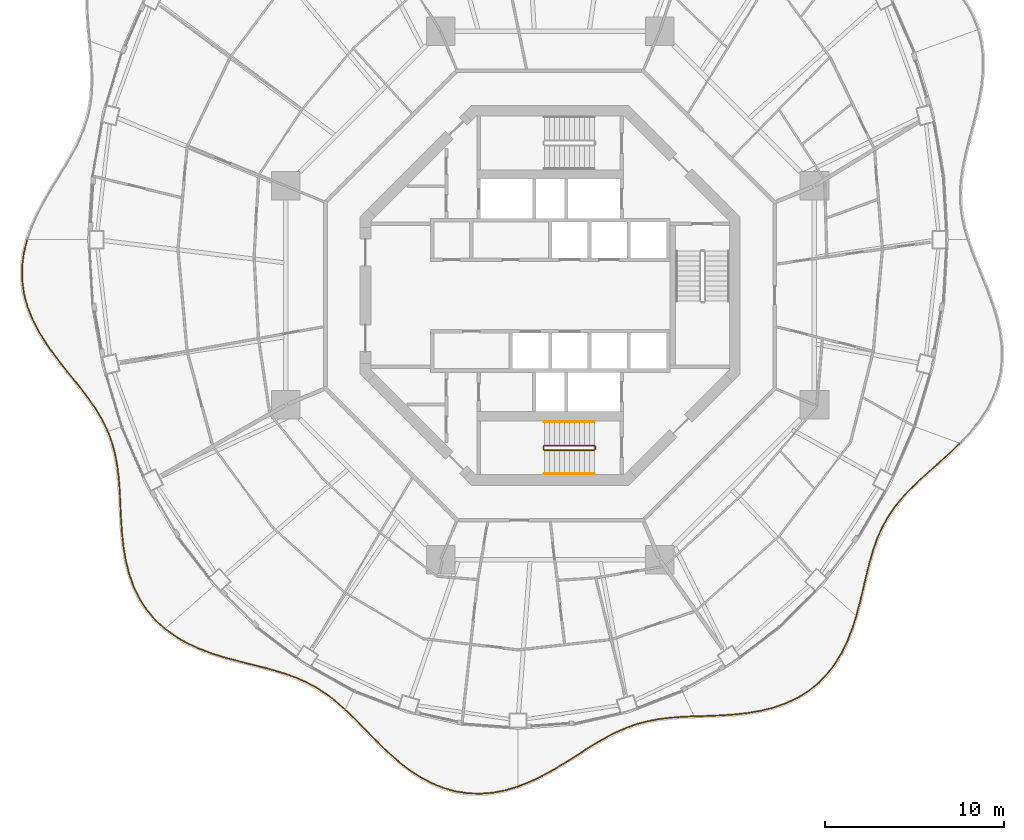
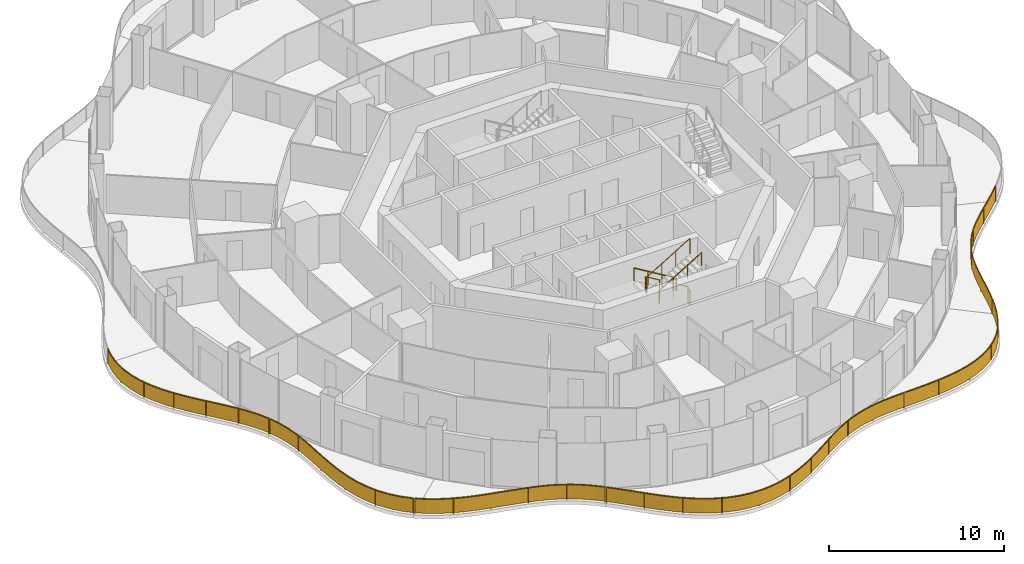
# One storey, part 16 of 18: 10 railings.
"""IFC4 building model written with IfcOpenShell, lengths in metres."""

import ifcopenshell
import ifcopenshell.guid

model = None  # the IFC model being written
_history = None  # IfcOwnerHistory: only IFC2X3 demands one
_inside = {}  # id of a spatial element -> (the spatial element, [elements in it])
_under = {}  # id of a project, library or spatial element -> (it, [spatial elements below it])
_declared = {}  # id of a project -> (the project, [libraries it declares])
_typed = {}  # id of a type object -> (the type object, [elements of that type])
_made_of = {}  # id of a material, layer set ... -> (it, [elements and type objects made of it])


def new_model(schema):
    """Start an empty IFC model of exactly this schema.

    Asked for "IFC4X3", IfcOpenShell would pick the latest addendum, in which some entities
    have other attributes; the version numbers below select the first issue.
    IFC2X3 requires an IfcOwnerHistory on every rooted entity: one is made here for all.
    """
    global model, _history
    if schema == "IFC4X3":
        model = ifcopenshell.file(schema_version=(4, 3, 0, 0))
    else:
        model = ifcopenshell.file(schema=schema)
    _inside.clear()
    _under.clear()
    _declared.clear()
    _typed.clear()
    _made_of.clear()
    _history = None
    if model.schema == "IFC2X3":
        org = make("IfcOrganization", Name="unknown")
        user = make(
            "IfcPersonAndOrganization",
            ThePerson=make("IfcPerson", FamilyName="unknown"),
            TheOrganization=org,
        )
        app = make(
            "IfcApplication",
            ApplicationDeveloper=org,
            Version="unknown",
            ApplicationFullName="unknown",
            ApplicationIdentifier="unknown",
        )
        _history = make(
            "IfcOwnerHistory",
            OwningUser=user,
            OwningApplication=app,
            ChangeAction="ADDED",
            CreationDate=0,
        )
    return model


def make(cls, **values):
    """One entity of the class cls with the attributes given. An attribute that is None is left unset."""
    return model.create_entity(
        cls, **{name: value for name, value in values.items() if value is not None}
    )


def rooted(cls, **values):
    """An entity with a GlobalId (a new one), such as an element, a storey or a relation."""
    return make(cls, GlobalId=ifcopenshell.guid.new(), OwnerHistory=_history, **values)


def si_unit(unit_type, name, prefix=None):
    """IfcSIUnit, for example si_unit("LENGTHUNIT", "METRE", prefix="MILLI")."""
    return make("IfcSIUnit", UnitType=unit_type, Prefix=prefix, Name=name)


def assignment(units):
    """IfcUnitAssignment: the units of a project."""
    return None if units is None else make("IfcUnitAssignment", Units=units)


def point(xyz):
    """IfcCartesianPoint."""
    return None if xyz is None else make("IfcCartesianPoint", Coordinates=xyz)


def direction(xyz):
    """IfcDirection."""
    return None if xyz is None else make("IfcDirection", DirectionRatios=xyz)


def frame(location, z_axis=None, x_axis=None):
    """IfcAxis2Placement3D, a coordinate frame: its origin and axes. An axis left out is left unset."""
    return make(
        "IfcAxis2Placement3D",
        Location=point(location),
        Axis=direction(z_axis),
        RefDirection=direction(x_axis),
    )


def frame_2d(location, x_axis=None):
    """IfcAxis2Placement2D, a coordinate frame in the plane: its origin and x axis."""
    return make(
        "IfcAxis2Placement2D", Location=point(location), RefDirection=direction(x_axis)
    )


def origin():
    """The frame at (0, 0, 0) with its axes left unset."""
    return frame((0.0, 0.0, 0.0))


def origin_2d():
    """The frame at (0, 0) in the plane with its x axis left unset."""
    return frame_2d((0.0, 0.0))


def place(relative_to, where):
    """IfcLocalPlacement: puts the frame where relative to a parent placement (None: the world)."""
    return make(
        "IfcLocalPlacement", PlacementRelTo=relative_to, RelativePlacement=where
    )


def context(
    kind, dimensions, precision=None, world=None, true_north=None, identifier=None
):
    """IfcGeometricRepresentationContext, for example the 3D "Model" context."""
    return make(
        "IfcGeometricRepresentationContext",
        ContextIdentifier=identifier,
        ContextType=kind,
        CoordinateSpaceDimension=dimensions,
        Precision=precision,
        WorldCoordinateSystem=world,
        TrueNorth=true_north,
    )


def subcontext(parent, identifier, kind, view, scale=None):
    """IfcGeometricRepresentationSubContext, for example "Body" below "Model"."""
    return make(
        "IfcGeometricRepresentationSubContext",
        ContextIdentifier=identifier,
        ContextType=kind,
        ParentContext=parent,
        TargetScale=scale,
        TargetView=view,
    )


def project(units=None, contexts=None):
    """IfcProject with its units and contexts."""
    return rooted(
        "IfcProject",
        Name="project",
        RepresentationContexts=contexts,
        UnitsInContext=assignment(units),
    )


def spatial(cls, under=None, at=None, **own):
    """A site, building, storey or space (cls), placed at a placement, below another one or the project."""
    s = rooted(cls, ObjectPlacement=at, **own)
    if under is not None:
        _under.setdefault(under.id(), (under, []))[1].append(s)
    return s


def polyline(points):
    """IfcPolyline through the points."""
    return make("IfcPolyline", Points=[point(p) for p in points])


def profile(cls, at=None, kind="AREA", **sizes):
    """A parametric profile (cls). Its sizes go by their IFC names, for example OverallWidth=200.0."""
    return make(cls, ProfileType=kind, Position=at, **sizes)


def rectangle(**sizes):
    """IfcRectangleProfileDef."""
    return profile("IfcRectangleProfileDef", **sizes)


def circle(**sizes):
    """IfcCircleProfileDef."""
    return profile("IfcCircleProfileDef", **sizes)


def outline(outer, holes=None, kind="AREA"):
    """IfcArbitraryClosedProfileDef: a profile drawn as a closed curve; with holes, ...WithVoids."""
    if holes is None:
        return make("IfcArbitraryClosedProfileDef", ProfileType=kind, OuterCurve=outer)
    return make(
        "IfcArbitraryProfileDefWithVoids",
        ProfileType=kind,
        OuterCurve=outer,
        InnerCurves=holes,
    )


def extrude(swept, where, along, depth):
    """IfcExtrudedAreaSolid: the profile swept, set in the frame where, extruded along a direction by depth."""
    return make(
        "IfcExtrudedAreaSolid",
        SweptArea=swept,
        Position=where,
        ExtrudedDirection=direction(along),
        Depth=depth,
    )


def shape(context_of_items, identifier, shape_type, items):
    """IfcShapeRepresentation: the items that make up one representation, for example the "Body"."""
    return make(
        "IfcShapeRepresentation",
        ContextOfItems=context_of_items,
        RepresentationIdentifier=identifier,
        RepresentationType=shape_type,
        Items=items,
    )


def material(Name=None, Category=None):
    """IfcMaterial."""
    return make("IfcMaterial", Name=Name, Category=Category)


def made_of(thing, what):
    """Note that an element or type object is made of a material, layer set ...; save() writes the relation."""
    if what is not None:
        _made_of.setdefault(what.id(), (what, []))[1].append(thing)
    return thing


def type_object(cls, material=None, **own):
    """A type object (cls), such as IfcWallType, which elements share."""
    return made_of(rooted(cls, **own), material)


def element(
    cls,
    number,
    at=None,
    inside=None,
    cuts=None,
    type_object=None,
    material=None,
    context=None,
    identifier="Body",
    shape_type=None,
    held_by="IfcProductDefinitionShape",
    body=None,
    shapes=None,
    **own,
):
    """One element of the class cls, such as IfcWall. Its Tag is "e" and its number.

    at: its placement. inside: the storey or other place that contains it. cuts: it is an
    opening in that element (IfcRelVoidsElement). A single representation is given by context,
    identifier, shape_type and body (its items); several are given by shapes. held_by: the class
    of the entity that holds the representations. save() writes the other relations.
    """
    e = rooted(cls, Tag="e%d" % number, ObjectPlacement=at, **own)
    if body is not None:
        shapes = [shape(context, identifier, shape_type, body)]
    if shapes is not None:
        e.Representation = make(held_by, Representations=shapes)
    if inside is not None:
        _inside.setdefault(inside.id(), (inside, []))[1].append(e)
    if cuts is not None:
        rooted(
            "IfcRelVoidsElement", RelatingBuildingElement=cuts, RelatedOpeningElement=e
        )
    if type_object is not None:
        _typed.setdefault(type_object.id(), (type_object, []))[1].append(e)
    return made_of(e, material)


def aggregate(whole, parts):
    """IfcRelAggregates: a whole, such as a stair, and the parts it consists of."""
    return rooted("IfcRelAggregates", RelatingObject=whole, RelatedObjects=parts)


def save(model, path):
    """Write the relations noted so far, then the file.

    IfcRelAggregates (storeys below a building ...), IfcRelContainedInSpatialStructure (elements
    in a storey), IfcRelDefinesByType, IfcRelAssociatesMaterial and IfcRelDeclares: one each for
    every whole, place, type object, material and project.
    """
    for whole, parts in _under.values():
        aggregate(whole, parts)
    for where, things in _inside.values():
        rooted(
            "IfcRelContainedInSpatialStructure",
            RelatedElements=things,
            RelatingStructure=where,
        )
    for kind, things in _typed.values():
        rooted("IfcRelDefinesByType", RelatedObjects=things, RelatingType=kind)
    for what, things in _made_of.values():
        rooted("IfcRelAssociatesMaterial", RelatedObjects=things, RelatingMaterial=what)
    for by, libraries in _declared.values():
        rooted("IfcRelDeclares", RelatingContext=by, RelatedDefinitions=libraries)
    model.write(path)


model = new_model("IFC4")

# Units and contexts
model_context = context("Model", 3, precision=1e-05, world=origin(), true_north=direction((0.0, 1.0)))
body_context = subcontext(model_context, "Body", "Model", "MODEL_VIEW")
ifc_project = project(units=[si_unit("LENGTHUNIT", "METRE"), si_unit("AREAUNIT", "SQUARE_METRE"), si_unit("VOLUMEUNIT", "CUBIC_METRE"), si_unit("PLANEANGLEUNIT", "RADIAN"), si_unit("MASSUNIT", "GRAM", prefix="KILO")], contexts=[model_context])

# Site, building, storey
site_placement = place(None, origin())
site = spatial("IfcSite", under=ifc_project, at=site_placement, CompositionType="ELEMENT")
building_placement = place(site_placement, origin())
building = spatial("IfcBuilding", under=site, at=building_placement, Name="Nagisa Residences", CompositionType="ELEMENT")
storey_placement = place(building_placement, frame((0.0, 0.0, 249.199951171875)))
storey = spatial("IfcBuildingStorey", under=building, at=storey_placement, Name="L63", CompositionType="ELEMENT", Elevation=249.199951171875)

# Railings
ifc_material_1 = material(Name="Stainless steel 316", Category="steel")
railing_type_1 = type_object("IfcRailingType", Name="BALCONY GUARD 1100", PredefinedType="BALUSTRADE", material=ifc_material_1)
railing_1_placement = place(storey_placement, frame((-29.258544921875, 3.080078125, 0.0)))
element("IfcRailing", 1, at=railing_1_placement, inside=storey, type_object=railing_type_1, Name="guard:L63:bal08-0", PredefinedType="BALUSTRADE", context=body_context, shape_type="SweptSolid", body=[
    extrude(outline(polyline([(-0.14990234375, -0.707763671875), (0.024169921875, -0.006103515625), (-0.024169921875, 0.006103515625), (-0.19921875, -0.698486328125), (-0.294677734375, -1.453857421875), (-0.294189453125, -2.208740234375), (-0.196044921875, -2.95751953125), (-0.002685546875, -3.6943359375), (0.276611328125, -4.40087890625), (0.63427734375, -5.10107421875), (1.052978515625, -5.77978515625), (1.516357421875, -6.43603515625), (2.005859375, -7.072021484375), (2.498046875, -7.6767578125), (2.981689453125, -8.282958984375), (3.4365234375, -8.882568359375), (3.8486328125, -9.48291015625), (4.20751953125, -10.090576171875), (4.4892578125, -10.676513671875), (4.5341796875, -10.655029296875), (4.25146484375, -10.067138671875), (3.890625, -9.4560546875), (3.47705078125, -8.853271484375), (3.021240234375, -8.252197265625), (2.537109375, -7.6455078125), (2.044921875, -7.040771484375), (1.556884765625, -6.40625), (1.094970703125, -5.751953125), (0.677734375, -5.07666015625), (0.322509765625, -4.38037109375), (0.045166015625, -3.6787109375), (-0.146728515625, -2.94775390625), (-0.244384765625, -2.205322265625), (-0.244384765625, -1.456787109375), (-0.14990234375, -0.707763671875)])), frame((0.0, 0.0, 1.050048828125)), (0.0, 0.0, 1.0), 0.050048828125),
    extrude(outline(polyline([(-0.167724609375, -0.704345703125), (0.0068359375, -0.001708984375), (-0.0068359375, 0.001708984375), (-0.181396484375, -0.701904296875), (-0.276611328125, -1.454833984375), (-0.2763671875, -2.20751953125), (-0.17822265625, -2.9541015625), (0.0146484375, -3.688720703125), (0.293212890625, -4.3935546875), (0.64990234375, -5.09228515625), (1.068115234375, -5.769775390625), (1.531005859375, -6.42529296875), (2.02001953125, -7.060791015625), (2.51220703125, -7.66552734375), (2.995849609375, -8.27197265625), (3.451171875, -8.8720703125), (3.86376953125, -9.47314453125), (4.223388671875, -10.082275390625), (4.50537109375, -10.668701171875), (4.51806640625, -10.662841796875), (4.235595703125, -10.075439453125), (3.87548828125, -9.4658203125), (3.46240234375, -8.86376953125), (3.007080078125, -8.26318359375), (2.52294921875, -7.65673828125), (2.03076171875, -7.052001953125), (1.542236328125, -6.4169921875), (1.079833984375, -5.761962890625), (0.662109375, -5.08544921875), (0.305908203125, -4.3876953125), (0.02783203125, -3.684326171875), (-0.16455078125, -2.951171875), (-0.26220703125, -2.20654296875), (-0.262451171875, -1.455810546875), (-0.167724609375, -0.704345703125)])), frame((0.0, 0.0, 0.06005859375)), (0.0, 0.0, 1.0), 0.989990234375),
    extrude(rectangle(XDim=0.0400390625, YDim=0.0400390625, at=origin_2d()), origin(), (0.0, 0.0, 1.0), 1.050048828125),
    extrude(rectangle(XDim=0.0400390625, YDim=0.0400390625, at=origin_2d()), frame((-0.269287109375, -1.986572265625, 0.0)), (0.0, 0.0, 1.0), 1.050048828125),
    extrude(rectangle(XDim=0.0400390625, YDim=0.0400390625, at=origin_2d()), frame((0.125, -3.94921875, 0.0)), (0.0, 0.0, 1.0), 1.050048828125),
    extrude(rectangle(XDim=0.0400390625, YDim=0.0400390625, at=origin_2d()), frame((1.052734375, -5.731689453125, 0.0)), (0.0, 0.0, 1.0), 1.050048828125),
    extrude(rectangle(XDim=0.0400390625, YDim=0.0400390625, at=origin_2d()), frame((2.2587890625, -7.34326171875, 0.0)), (0.0, 0.0, 1.0), 1.050048828125),
    extrude(rectangle(XDim=0.0400390625, YDim=0.0400390625, at=origin_2d()), frame((3.4990234375, -8.929443359375, 0.0)), (0.0, 0.0, 1.0), 1.050048828125),
    extrude(rectangle(XDim=0.0400390625, YDim=0.0400390625, at=origin_2d()), frame((4.51171875, -10.665771484375, 0.0)), (0.0, 0.0, 1.0), 1.050048828125),
])
railing_2_placement = place(storey_placement, frame((-24.71923828125, -7.648681640625, 0.0)))
element("IfcRailing", 2, at=railing_2_placement, inside=storey, type_object=railing_type_1, Name="guard:L63:bal09-0", PredefinedType="BALUSTRADE", context=body_context, shape_type="SweptSolid", body=[
    extrude(outline(polyline([(0.240966796875, -0.57861328125), (0.0234375, 0.0087890625), (-0.0234375, -0.0087890625), (0.193115234375, -0.59375), (0.36767578125, -1.240966796875), (0.491943359375, -1.914794921875), (0.57470703125, -2.616943359375), (0.6279296875, -3.34521484375), (0.658935546875, -4.083984375), (0.6962890625, -4.853271484375), (0.74951171875, -5.63232421875), (0.833984375, -6.412109375), (0.96435546875, -7.182373046875), (1.14453125, -7.92041015625), (1.39892578125, -8.63818359375), (1.727783203125, -9.315185546875), (2.1328125, -9.942138671875), (2.613525390625, -10.511474609375), (3.131103515625, -10.986328125), (3.164794921875, -10.94921875), (2.649658203125, -10.476806640625), (2.17333984375, -9.912353515625), (1.771240234375, -9.290771484375), (1.4453125, -8.61865234375), (1.1923828125, -7.90625), (1.01318359375, -7.172119140625), (0.8837890625, -6.4052734375), (0.79931640625, -5.6279296875), (0.74609375, -4.850341796875), (0.708740234375, -4.08154296875), (0.677734375, -3.34228515625), (0.62451171875, -2.612060546875), (0.541259765625, -1.907470703125), (0.41650390625, -1.229736328125), (0.240966796875, -0.57861328125)])), frame((0.0, 0.0, 1.050048828125)), (0.0, 0.0, 1.0), 0.050048828125),
    extrude(outline(polyline([(0.2236328125, -0.583984375), (0.006591796875, 0.00244140625), (-0.006591796875, -0.00244140625), (0.21044921875, -0.58837890625), (0.38525390625, -1.23681640625), (0.509765625, -1.912109375), (0.592529296875, -2.615234375), (0.645751953125, -3.34423828125), (0.6767578125, -4.0830078125), (0.714111328125, -4.852294921875), (0.767333984375, -5.630859375), (0.85205078125, -6.40966796875), (0.98193359375, -7.1787109375), (1.16162109375, -7.915283203125), (1.415771484375, -8.631103515625), (1.743408203125, -9.306396484375), (2.1474609375, -9.931396484375), (2.62646484375, -10.4990234375), (3.143310546875, -10.972900390625), (3.152587890625, -10.962646484375), (2.63671875, -10.4892578125), (2.15869140625, -9.923095703125), (1.755615234375, -9.299560546875), (1.428466796875, -8.625732421875), (1.17529296875, -7.911376953125), (0.99560546875, -7.17578125), (0.86572265625, -6.40771484375), (0.781494140625, -5.62939453125), (0.728271484375, -4.851318359375), (0.69091796875, -4.08251953125), (0.659912109375, -3.34326171875), (0.606689453125, -2.61376953125), (0.5234375, -1.91015625), (0.39892578125, -1.23388671875), (0.2236328125, -0.583984375)])), frame((0.0, 0.0, 0.06005859375)), (0.0, 0.0, 1.0), 0.989990234375),
    extrude(rectangle(XDim=0.0400390625, YDim=0.0400390625, at=origin_2d()), origin(), (0.0, 0.0, 1.0), 1.050048828125),
    extrude(rectangle(XDim=0.0400390625, YDim=0.0400390625, at=origin_2d()), frame((0.558837890625, -2.269775390625, 0.0)), (0.0, 0.0, 1.0), 1.050048828125),
    extrude(rectangle(XDim=0.0400390625, YDim=0.0400390625, at=origin_2d()), frame((0.70947265625, -4.60986328125, 0.0)), (0.0, 0.0, 1.0), 1.050048828125),
    extrude(rectangle(XDim=0.0400390625, YDim=0.0400390625, at=origin_2d()), frame((0.948974609375, -6.94140625, 0.0)), (0.0, 0.0, 1.0), 1.050048828125),
    extrude(rectangle(XDim=0.0400390625, YDim=0.0400390625, at=origin_2d()), frame((1.6796875, -9.1591796875, 0.0)), (0.0, 0.0, 1.0), 1.050048828125),
    extrude(rectangle(XDim=0.0400390625, YDim=0.0400390625, at=origin_2d()), frame((3.14794921875, -10.9677734375, 0.0)), (0.0, 0.0, 1.0), 1.050048828125),
])
railing_3_placement = place(storey_placement, frame((-21.51123046875, -18.665283203125, 0.0)))
element("IfcRailing", 3, at=railing_3_placement, inside=storey, type_object=railing_type_1, Name="guard:L63:bal10-0", PredefinedType="BALUSTRADE", context=body_context, shape_type="SweptSolid", body=[
    extrude(outline(polyline([(0.560302734375, -0.373779296875), (0.0146484375, 0.020263671875), (-0.0146484375, -0.020263671875), (0.532958984375, -0.415771484375), (1.16796875, -0.783935546875), (1.84228515625, -1.09912109375), (2.544189453125, -1.367431640625), (3.2626953125, -1.596435546875), (3.9736328125, -1.786376953125), (4.690673828125, -1.968994140625), (5.392578125, -2.145751953125), (6.072265625, -2.328857421875), (6.723876953125, -2.529296875), (7.33056640625, -2.74853515625), (7.919921875, -3.01318359375), (8.480224609375, -3.31982421875), (9.01513671875, -3.672119140625), (9.531005859375, -4.07080078125), (10.00048828125, -4.484619140625), (10.03369140625, -4.447021484375), (9.562744140625, -4.0322265625), (9.04443359375, -3.631591796875), (8.506103515625, -3.27685546875), (7.9423828125, -2.96826171875), (7.34912109375, -2.7021484375), (6.739501953125, -2.48193359375), (6.0859375, -2.281005859375), (5.4052734375, -2.097412109375), (4.702880859375, -1.920654296875), (3.986328125, -1.738037109375), (3.27685546875, -1.548583984375), (2.560791015625, -1.320068359375), (1.86181640625, -1.05322265625), (1.19140625, -0.739501953125), (0.560302734375, -0.373779296875)])), frame((0.0, 0.0, 1.050048828125)), (0.0, 0.0, 1.0), 0.050048828125),
    extrude(outline(polyline([(0.550537109375, -0.388916015625), (0.004150390625, 0.005615234375), (-0.004150390625, -0.005615234375), (0.542724609375, -0.400634765625), (1.176513671875, -0.767822265625), (1.849365234375, -1.08251953125), (2.55029296875, -1.350341796875), (3.267822265625, -1.579345703125), (3.978271484375, -1.76904296875), (4.695068359375, -1.95166015625), (5.397216796875, -2.12841796875), (6.0771484375, -2.311767578125), (6.7294921875, -2.51220703125), (7.337158203125, -2.73193359375), (7.927978515625, -2.9970703125), (8.489501953125, -3.304443359375), (9.025634765625, -3.657470703125), (9.54248046875, -4.056884765625), (10.012451171875, -4.47119140625), (10.021728515625, -4.46044921875), (9.55126953125, -4.046142578125), (9.033935546875, -3.646240234375), (8.496826171875, -3.292236328125), (7.934326171875, -2.984375), (7.342529296875, -2.71875), (6.73388671875, -2.4990234375), (6.0810546875, -2.298095703125), (5.400634765625, -2.11474609375), (4.698486328125, -1.93798828125), (3.981689453125, -1.75537109375), (3.271728515625, -1.565673828125), (2.5546875, -1.337158203125), (1.854736328125, -1.06982421875), (1.182861328125, -0.755615234375), (0.550537109375, -0.388916015625)])), frame((0.0, 0.0, 0.06005859375)), (0.0, 0.0, 1.0), 0.989990234375),
    extrude(rectangle(XDim=0.0400390625, YDim=0.0400390625, at=origin_2d()), origin(), (0.0, 0.0, 1.0), 1.050048828125),
    extrude(rectangle(XDim=0.0400390625, YDim=0.0400390625, at=origin_2d()), frame((1.918212890625, -1.101318359375, 0.0)), (0.0, 0.0, 1.0), 1.050048828125),
    extrude(rectangle(XDim=0.0400390625, YDim=0.0400390625, at=origin_2d()), frame((4.030517578125, -1.775146484375, 0.0)), (0.0, 0.0, 1.0), 1.050048828125),
    extrude(rectangle(XDim=0.0400390625, YDim=0.0400390625, at=origin_2d()), frame((6.177490234375, -2.335205078125, 0.0)), (0.0, 0.0, 1.0), 1.050048828125),
    extrude(rectangle(XDim=0.0400390625, YDim=0.0400390625, at=origin_2d()), frame((8.2333984375, -3.156005859375, 0.0)), (0.0, 0.0, 1.0), 1.050048828125),
    extrude(rectangle(XDim=0.0400390625, YDim=0.0400390625, at=origin_2d()), frame((10.01708984375, -4.4658203125, 0.0)), (0.0, 0.0, 1.0), 1.050048828125),
])
railing_4_placement = place(storey_placement, frame((-11.442138671875, -23.181884765625, 0.0)))
element("IfcRailing", 4, at=railing_4_placement, inside=storey, type_object=railing_type_1, Name="guard:L63:bal11-0", PredefinedType="BALUSTRADE", context=body_context, shape_type="SweptSolid", body=[
    extrude(outline(polyline([(0.46533203125, -0.4150390625), (0.017333984375, 0.01806640625), (-0.017333984375, -0.01806640625), (0.43017578125, -0.45068359375), (0.913818359375, -0.939697265625), (1.406982421875, -1.44580078125), (1.916015625, -1.95703125), (2.446533203125, -2.460693359375), (2.9853515625, -2.9375), (3.568603515625, -3.384521484375), (4.179443359375, -3.782958984375), (4.8173828125, -4.121337890625), (5.479736328125, -4.389892578125), (6.146728515625, -4.578125), (6.841796875, -4.6865234375), (7.548095703125, -4.7109375), (8.257080078125, -4.652587890625), (8.962890625, -4.51611328125), (9.612548828125, -4.320068359375), (9.597900390625, -4.272216796875), (8.95068359375, -4.46728515625), (8.250244140625, -4.602783203125), (7.547119140625, -4.66064453125), (6.8466796875, -4.63671875), (6.157470703125, -4.529296875), (5.495849609375, -4.342529296875), (4.83837890625, -4.075927734375), (4.204833984375, -3.739990234375), (3.597412109375, -3.343505859375), (3.01708984375, -2.89892578125), (2.480224609375, -2.423583984375), (1.951171875, -1.92138671875), (1.442626953125, -1.41064453125), (0.949462890625, -0.904541015625), (0.46533203125, -0.4150390625)])), frame((0.0, 0.0, 1.050048828125)), (0.0, 0.0, 1.0), 0.050048828125),
    extrude(outline(polyline([(0.45263671875, -0.427978515625), (0.0048828125, 0.005126953125), (-0.0048828125, -0.005126953125), (0.44287109375, -0.437744140625), (0.9267578125, -0.927001953125), (1.419921875, -1.43310546875), (1.9287109375, -1.9443359375), (2.458740234375, -2.447265625), (2.996826171875, -2.923583984375), (3.578857421875, -3.36962890625), (4.1884765625, -3.767578125), (4.824951171875, -4.10498046875), (5.485595703125, -4.372802734375), (6.150634765625, -4.560546875), (6.843505859375, -4.668701171875), (7.5478515625, -4.69287109375), (8.254638671875, -4.634521484375), (8.95849609375, -4.49853515625), (9.607177734375, -4.302734375), (9.603271484375, -4.28955078125), (8.955078125, -4.48486328125), (8.252685546875, -4.620849609375), (7.54736328125, -4.6787109375), (6.844970703125, -4.654541015625), (6.153564453125, -4.546875), (5.489990234375, -4.359619140625), (4.830810546875, -4.09228515625), (4.19580078125, -3.75537109375), (3.587158203125, -3.3583984375), (3.005615234375, -2.912841796875), (2.468017578125, -2.43701171875), (1.9384765625, -1.93408203125), (1.4296875, -1.42333984375), (0.9365234375, -0.917236328125), (0.45263671875, -0.427978515625)])), frame((0.0, 0.0, 0.06005859375)), (0.0, 0.0, 1.0), 0.989990234375),
    extrude(rectangle(XDim=0.0400390625, YDim=0.0400390625, at=origin_2d()), origin(), (0.0, 0.0, 1.0), 1.050048828125),
    extrude(rectangle(XDim=0.0400390625, YDim=0.0400390625, at=origin_2d()), frame((1.592529296875, -1.5966796875, 0.0)), (0.0, 0.0, 1.0), 1.050048828125),
    extrude(rectangle(XDim=0.0400390625, YDim=0.0400390625, at=origin_2d()), frame((3.257568359375, -3.114501953125, 0.0)), (0.0, 0.0, 1.0), 1.050048828125),
    extrude(rectangle(XDim=0.0400390625, YDim=0.0400390625, at=origin_2d()), frame((5.19677734375, -4.248291015625, 0.0)), (0.0, 0.0, 1.0), 1.050048828125),
    extrude(rectangle(XDim=0.0400390625, YDim=0.0400390625, at=origin_2d()), frame((7.39453125, -4.680419921875, 0.0)), (0.0, 0.0, 1.0), 1.050048828125),
    extrude(rectangle(XDim=0.0400390625, YDim=0.0400390625, at=origin_2d()), frame((9.605224609375, -4.296142578125, 0.0)), (0.0, 0.0, 1.0), 1.050048828125),
])
railing_5_placement = place(storey_placement, frame((-1.76416015625, -27.451904296875, 0.0)))
element("IfcRailing", 5, at=railing_5_placement, inside=storey, type_object=railing_type_1, Name="guard:L63:bal12-0", PredefinedType="BALUSTRADE", context=body_context, shape_type="SweptSolid", body=[
    extrude(outline(polyline([(0.626220703125, 0.275634765625), (-0.00927734375, 0.023193359375), (0.00927734375, -0.023193359375), (0.646240234375, 0.229736328125), (1.311767578125, 0.547119140625), (1.958251953125, 0.900146484375), (2.584716796875, 1.275146484375), (3.192626953125, 1.657470703125), (3.76708984375, 2.031005859375), (4.34619140625, 2.388916015625), (4.918212890625, 2.7177734375), (5.488037109375, 3.00927734375), (6.0615234375, 3.258056640625), (6.627685546875, 3.45654296875), (7.225341796875, 3.614501953125), (7.84130859375, 3.730224609375), (8.47900390625, 3.809326171875), (9.13916015625, 3.85986328125), (9.77587890625, 3.887451171875), (9.77392578125, 3.937255859375), (9.13623046875, 3.90966796875), (8.47412109375, 3.859130859375), (7.83349609375, 3.779541015625), (7.214111328125, 3.663330078125), (6.613037109375, 3.50439453125), (6.04345703125, 3.304931640625), (5.466552734375, 3.0546875), (4.894287109375, 2.76171875), (4.32080078125, 2.431884765625), (3.740234375, 2.073486328125), (3.165771484375, 1.699462890625), (2.558349609375, 1.317626953125), (1.933349609375, 0.943603515625), (1.288818359375, 0.591552734375), (0.626220703125, 0.275634765625)])), frame((0.0, 0.0, 1.050048828125)), (0.0, 0.0, 1.0), 0.050048828125),
    extrude(outline(polyline([(0.633544921875, 0.259033203125), (-0.002685546875, 0.006591796875), (0.002685546875, -0.006591796875), (0.638916015625, 0.246337890625), (1.303466796875, 0.56298828125), (1.94921875, 0.915771484375), (2.5751953125, 1.29052734375), (3.182861328125, 1.672607421875), (3.75732421875, 2.04638671875), (4.337158203125, 2.404296875), (4.90966796875, 2.733642578125), (5.480224609375, 3.025634765625), (6.054931640625, 3.27490234375), (6.622314453125, 3.473876953125), (7.22119140625, 3.632080078125), (7.83837890625, 3.748046875), (8.477294921875, 3.8271484375), (9.13818359375, 3.877685546875), (9.775146484375, 3.9052734375), (9.774658203125, 3.91943359375), (9.13720703125, 3.891845703125), (8.475830078125, 3.84130859375), (7.83642578125, 3.76171875), (7.21826171875, 3.645751953125), (6.618408203125, 3.487060546875), (6.050048828125, 3.2880859375), (5.474365234375, 3.038330078125), (4.90283203125, 2.745849609375), (4.329833984375, 2.41650390625), (3.75, 2.05810546875), (3.175537109375, 1.684326171875), (2.56787109375, 1.30224609375), (1.9423828125, 0.927978515625), (1.297119140625, 0.57568359375), (0.633544921875, 0.259033203125)])), frame((0.0, 0.0, 0.06005859375)), (0.0, 0.0, 1.0), 0.989990234375),
    extrude(rectangle(XDim=0.0400390625, YDim=0.0400390625, at=origin_2d()), origin(), (0.0, 0.0, 1.0), 1.050048828125),
    extrude(rectangle(XDim=0.0400390625, YDim=0.0400390625, at=origin_2d()), frame((1.930908203125, 0.913818359375, 0.0)), (0.0, 0.0, 1.0), 1.050048828125),
    extrude(rectangle(XDim=0.0400390625, YDim=0.0400390625, at=origin_2d()), frame((3.744873046875, 2.04638671875, 0.0)), (0.0, 0.0, 1.0), 1.050048828125),
    extrude(rectangle(XDim=0.0400390625, YDim=0.0400390625, at=origin_2d()), frame((5.60986328125, 3.089599609375, 0.0)), (0.0, 0.0, 1.0), 1.050048828125),
    extrude(rectangle(XDim=0.0400390625, YDim=0.0400390625, at=origin_2d()), frame((7.64697265625, 3.718994140625, 0.0)), (0.0, 0.0, 1.0), 1.050048828125),
    extrude(rectangle(XDim=0.0400390625, YDim=0.0400390625, at=origin_2d()), frame((9.77490234375, 3.912353515625, 0.0)), (0.0, 0.0, 1.0), 1.050048828125),
])
railing_6_placement = place(storey_placement, frame((8.085693359375, -23.53857421875, 0.0)))
element("IfcRailing", 6, at=railing_6_placement, inside=storey, type_object=railing_type_1, Name="guard:L63:bal13-0", PredefinedType="BALUSTRADE", context=body_context, shape_type="SweptSolid", body=[
    extrude(outline(polyline([(0.68212890625, 0.0458984375), (-0.000732421875, 0.02490234375), (0.000732421875, -0.02490234375), (0.68408203125, -0.00390625), (1.42822265625, 0.026611328125), (2.181640625, 0.076416015625), (2.93603515625, 0.158203125), (3.68017578125, 0.28369140625), (4.39501953125, 0.4560546875), (5.093505859375, 0.698486328125), (5.75390625, 1.008544921875), (6.367431640625, 1.387939453125), (6.927490234375, 1.83642578125), (7.4169921875, 2.33984375), (7.858154296875, 2.913330078125), (8.239013671875, 3.537841796875), (8.56298828125, 4.203857421875), (8.8359375, 4.900390625), (9.048828125, 5.572998046875), (9.0009765625, 5.588134765625), (8.78857421875, 4.9169921875), (8.51708984375, 4.223876953125), (8.195068359375, 3.561767578125), (7.816650390625, 2.941650390625), (7.37890625, 2.37255859375), (6.893798828125, 1.87353515625), (6.338623046875, 1.428955078125), (5.72998046875, 1.052490234375), (5.074462890625, 0.744873046875), (4.380859375, 0.50390625), (3.669921875, 0.33251953125), (2.92919921875, 0.2080078125), (2.17724609375, 0.126220703125), (1.42578125, 0.076416015625), (0.68212890625, 0.0458984375)])), frame((0.0, 0.0, 1.050048828125)), (0.0, 0.0, 1.0), 0.050048828125),
    extrude(outline(polyline([(0.682861328125, 0.028076171875), (-0.000244140625, 0.007080078125), (0.000244140625, -0.007080078125), (0.683349609375, 0.013916015625), (1.427490234375, 0.04443359375), (2.179931640625, 0.09423828125), (2.93359375, 0.17626953125), (3.676513671875, 0.30126953125), (4.389892578125, 0.47314453125), (5.086669921875, 0.715087890625), (5.745361328125, 1.0244140625), (6.357177734375, 1.40283203125), (6.915283203125, 1.849853515625), (7.4033203125, 2.3515625), (7.84326171875, 2.923583984375), (8.22314453125, 3.54638671875), (8.54638671875, 4.2109375), (8.81884765625, 4.90625), (9.031494140625, 5.578369140625), (9.018310546875, 5.582763671875), (8.8056640625, 4.9111328125), (8.53369140625, 4.216796875), (8.2109375, 3.55322265625), (7.83154296875, 2.931396484375), (7.392578125, 2.36083984375), (6.906005859375, 1.860107421875), (6.348876953125, 1.4140625), (5.738525390625, 1.03662109375), (5.081298828125, 0.728271484375), (4.385986328125, 0.48681640625), (3.673583984375, 0.31494140625), (2.931640625, 0.18994140625), (2.178955078125, 0.1083984375), (1.426513671875, 0.05859375), (0.682861328125, 0.028076171875)])), frame((0.0, 0.0, 0.06005859375)), (0.0, 0.0, 1.0), 0.989990234375),
    extrude(rectangle(XDim=0.0400390625, YDim=0.0400390625, at=origin_2d()), origin(), (0.0, 0.0, 1.0), 1.050048828125),
    extrude(rectangle(XDim=0.0400390625, YDim=0.0400390625, at=origin_2d()), frame((2.32861328125, 0.117431640625, 0.0)), (0.0, 0.0, 1.0), 1.050048828125),
    extrude(rectangle(XDim=0.0400390625, YDim=0.0400390625, at=origin_2d()), frame((4.613037109375, 0.55810546875, 0.0)), (0.0, 0.0, 1.0), 1.050048828125),
    extrude(rectangle(XDim=0.0400390625, YDim=0.0400390625, at=origin_2d()), frame((6.65625, 1.651123046875, 0.0)), (0.0, 0.0, 1.0), 1.050048828125),
    extrude(rectangle(XDim=0.0400390625, YDim=0.0400390625, at=origin_2d()), frame((8.142822265625, 3.427978515625, 0.0)), (0.0, 0.0, 1.0), 1.050048828125),
    extrude(rectangle(XDim=0.0400390625, YDim=0.0400390625, at=origin_2d()), frame((9.02490234375, 5.58056640625, 0.0)), (0.0, 0.0, 1.0), 1.050048828125),
])
railing_7_placement = place(storey_placement, frame((17.131103515625, -17.8837890625, 0.0)))
element("IfcRailing", 7, at=railing_7_placement, inside=storey, type_object=railing_type_1, Name="guard:L63:bal14-0", PredefinedType="BALUSTRADE", context=body_context, shape_type="SweptSolid", body=[
    extrude(outline(polyline([(0.1669921875, 0.720947265625), (-0.024169921875, 0.00634765625), (0.024169921875, -0.00634765625), (0.21533203125, 0.708740234375), (0.39794921875, 1.4638671875), (0.57177734375, 2.204833984375), (0.7509765625, 2.922119140625), (0.94970703125, 3.609375), (1.171630859375, 4.250244140625), (1.443115234375, 4.8681640625), (1.763916015625, 5.451904296875), (2.13720703125, 6.00537109375), (2.563232421875, 6.534423828125), (3.03271484375, 7.032470703125), (3.551513671875, 7.5341796875), (4.1025390625, 8.03466796875), (4.672607421875, 8.541748046875), (5.246826171875, 9.063232421875), (5.777099609375, 9.572265625), (5.742431640625, 9.6083984375), (5.212646484375, 9.099853515625), (4.638916015625, 8.578857421875), (4.06884765625, 8.07177734375), (3.517333984375, 7.57080078125), (2.9970703125, 7.067626953125), (2.525634765625, 6.567138671875), (2.0966796875, 6.03515625), (1.720947265625, 5.477783203125), (1.398193359375, 4.89013671875), (1.124755859375, 4.268310546875), (0.90185546875, 3.62451171875), (0.70263671875, 2.935302734375), (0.52294921875, 2.216552734375), (0.34912109375, 1.4755859375), (0.1669921875, 0.720947265625)])), frame((0.0, 0.0, 1.050048828125)), (0.0, 0.0, 1.0), 0.050048828125),
    extrude(outline(polyline([(0.184326171875, 0.716552734375), (-0.0068359375, 0.001708984375), (0.0068359375, -0.001708984375), (0.197998046875, 0.713134765625), (0.38037109375, 1.468017578125), (0.55419921875, 2.208984375), (0.733642578125, 2.927001953125), (0.932373046875, 3.61474609375), (1.15478515625, 4.2568359375), (1.427001953125, 4.8759765625), (1.74853515625, 5.461181640625), (2.12255859375, 6.01611328125), (2.5498046875, 6.546142578125), (3.019775390625, 7.045166015625), (3.539306640625, 7.54736328125), (4.09033203125, 8.048095703125), (4.660400390625, 8.55517578125), (5.234619140625, 9.076416015625), (5.7646484375, 9.585205078125), (5.7548828125, 9.595458984375), (5.224853515625, 9.086669921875), (4.651123046875, 8.5654296875), (4.0810546875, 8.058349609375), (3.529541015625, 7.5576171875), (3.010009765625, 7.054931640625), (2.5390625, 6.555419921875), (2.111328125, 6.0244140625), (1.736328125, 5.468505859375), (1.414306640625, 4.88232421875), (1.1416015625, 4.26171875), (0.919189453125, 3.619140625), (0.719970703125, 2.930419921875), (0.54052734375, 2.21240234375), (0.36669921875, 1.471435546875), (0.184326171875, 0.716552734375)])), frame((0.0, 0.0, 0.06005859375)), (0.0, 0.0, 1.0), 0.989990234375),
    extrude(rectangle(XDim=0.0400390625, YDim=0.0400390625, at=origin_2d()), origin(), (0.0, 0.0, 1.0), 1.050048828125),
    extrude(rectangle(XDim=0.0400390625, YDim=0.0400390625, at=origin_2d()), frame((0.5546875, 2.239501953125, 0.0)), (0.0, 0.0, 1.0), 1.050048828125),
    extrude(rectangle(XDim=0.0400390625, YDim=0.0400390625, at=origin_2d()), frame((1.22900390625, 4.443115234375, 0.0)), (0.0, 0.0, 1.0), 1.050048828125),
    extrude(rectangle(XDim=0.0400390625, YDim=0.0400390625, at=origin_2d()), frame((2.42626953125, 6.404052734375, 0.0)), (0.0, 0.0, 1.0), 1.050048828125),
    extrude(rectangle(XDim=0.0400390625, YDim=0.0400390625, at=origin_2d()), frame((4.060302734375, 8.030029296875, 0.0)), (0.0, 0.0, 1.0), 1.050048828125),
    extrude(rectangle(XDim=0.0400390625, YDim=0.0400390625, at=origin_2d()), frame((5.759765625, 9.59033203125, 0.0)), (0.0, 0.0, 1.0), 1.050048828125),
])
ifc_material_2 = material(Name="Stainless steel", Category="steel")
railing_type_2 = type_object("IfcRailingType", Name="Stair guard 1100", PredefinedType="GUARDRAIL", material=ifc_material_2)
railing_8_placement = place(storey_placement, frame((2.52490234375, -8.599609375, 0.0)))
element("IfcRailing", 8, at=railing_8_placement, inside=storey, type_object=railing_type_2, Name="L63 ST-S stair guard 1", PredefinedType="GUARDRAIL", context=body_context, shape_type="SweptSolid", body=[
    extrude(circle(Radius=0.02392578125, at=origin_2d()), frame((0.0, 0.0, 1.076171875), z_axis=(0.0, 1.0, 0.0), x_axis=(-1.0, 0.0, 0.0)), (0.0, 0.0, 1.0), 0.14990234375),
    extrude(circle(Radius=0.02392578125, at=origin_2d()), frame((0.0, 0.14990234375, 1.076171875), z_axis=(-0.273006030465, 0.27434429532, 0.922064485248), x_axis=(-0.708833529934, -0.705375805398, 0.0)), (0.0, 0.0, 1.0), 0.182373046875),
    extrude(circle(Radius=0.02392578125, at=origin_2d()), frame((-0.0498046875, 0.199951171875, 1.244140625), z_axis=(-0.857242210791, 0.0, 0.514913383045), x_axis=(0.0, -1.0, 0.0)), (0.0, 0.0, 1.0), 3.266357421875),
    extrude(circle(Radius=0.02392578125, at=origin_2d()), frame((-2.849853515625, 0.199951171875, 2.92626953125), z_axis=(-0.707106781187, -0.707106781187, 0.0), x_axis=(0.707106781187, -0.707106781187, 0.0)), (0.0, 0.0, 1.0), 0.07080078125),
    extrude(circle(Radius=0.02392578125, at=origin_2d()), frame((-2.89990234375, 0.14990234375, 2.92626953125), z_axis=(0.0, -1.0, 0.0), x_axis=(1.0, 0.0, 0.0)), (0.0, 0.0, 1.0), 0.14990234375),
    extrude(circle(Radius=0.02392578125, at=origin_2d()), frame((-2.89990234375, 0.0, 2.92626953125), z_axis=(0.274243871929, -0.274243871929, 0.92172696468), x_axis=(0.707106781187, 0.707106781187, 0.0)), (0.0, 0.0, 1.0), 0.1826171875),
    extrude(circle(Radius=0.02392578125, at=origin_2d()), frame((-2.849853515625, -0.050048828125, 3.09423828125), z_axis=(0.857275202839, 0.0, 0.514858452973), x_axis=(0.0, 1.0, 0.0)), (0.0, 0.0, 1.0), 3.26611328125),
    extrude(circle(Radius=0.02099609375, at=origin_2d()), origin(), (0.0, 0.0, 1.0), 1.052001953125),
    extrude(circle(Radius=0.02099609375, at=origin_2d()), frame((0.0, 0.14990234375, 0.0)), (0.0, 0.0, 1.0), 1.052001953125),
    extrude(circle(Radius=0.02099609375, at=origin_2d()), frame((-0.0498046875, 0.199951171875, 0.168212890625)), (0.0, 0.0, 1.0), 1.052001953125),
    extrude(circle(Radius=0.02099609375, at=origin_2d()), frame((-0.983154296875, 0.199951171875, 0.728759765625)), (0.0, 0.0, 1.0), 1.052001953125),
    extrude(circle(Radius=0.02099609375, at=origin_2d()), frame((-1.91650390625, 0.199951171875, 1.28955078125)), (0.0, 0.0, 1.0), 1.052001953125),
    extrude(circle(Radius=0.02099609375, at=origin_2d()), frame((-2.849853515625, 0.199951171875, 1.85009765625)), (0.0, 0.0, 1.0), 1.052001953125),
    extrude(circle(Radius=0.02099609375, at=origin_2d()), frame((-2.89990234375, 0.14990234375, 1.85009765625)), (0.0, 0.0, 1.0), 1.052001953125),
    extrude(circle(Radius=0.02099609375, at=origin_2d()), frame((-2.89990234375, 0.0, 1.85009765625)), (0.0, 0.0, 1.0), 1.052001953125),
    extrude(circle(Radius=0.02099609375, at=origin_2d()), frame((-2.849853515625, -0.050048828125, 2.018310546875)), (0.0, 0.0, 1.0), 1.052001953125),
    extrude(circle(Radius=0.02099609375, at=origin_2d()), frame((-1.91650390625, -0.050048828125, 2.578857421875)), (0.0, 0.0, 1.0), 1.052001953125),
    extrude(circle(Radius=0.02099609375, at=origin_2d()), frame((-0.983154296875, -0.050048828125, 3.139404296875)), (0.0, 0.0, 1.0), 1.052001953125),
    extrude(circle(Radius=0.02099609375, at=origin_2d()), frame((-0.0498046875, -0.050048828125, 3.699951171875)), (0.0, 0.0, 1.0), 1.052001953125),
])
ifc_material_3 = material(Name="Stainless steel", Category="steel")
railing_type_3 = type_object("IfcRailingType", Name="Stair handrail 900", PredefinedType="HANDRAIL", material=ifc_material_3)
railing_9_placement = place(storey_placement, frame((2.47509765625, -7.07470703125, 0.168212890625)))
element("IfcRailing", 9, at=railing_9_placement, inside=storey, type_object=railing_type_3, Name="L63 ST-S stair handrail 1", PredefinedType="HANDRAIL", context=body_context, shape_type="SweptSolid", body=[
    extrude(circle(Radius=0.02392578125, at=origin_2d()), frame((0.0, 0.0, 0.8759765625), z_axis=(-0.857242210791, 0.0, 0.514913383045), x_axis=(0.0, -1.0, 0.0)), (0.0, 0.0, 1.0), 3.266357421875),
    extrude(circle(Radius=0.02099609375, at=origin_2d()), origin(), (0.0, 0.0, 1.0), 0.851806640625),
    extrude(circle(Radius=0.02099609375, at=origin_2d()), frame((-0.933349609375, 0.0, 0.560546875)), (0.0, 0.0, 1.0), 0.851806640625),
    extrude(circle(Radius=0.02099609375, at=origin_2d()), frame((-1.86669921875, 0.0, 1.121337890625)), (0.0, 0.0, 1.0), 0.851806640625),
    extrude(circle(Radius=0.02099609375, at=origin_2d()), frame((-2.800048828125, 0.0, 1.681884765625)), (0.0, 0.0, 1.0), 0.851806640625),
])
railing_10_placement = place(storey_placement, frame((-0.324951171875, -9.974609375, 2.018310546875)))
element("IfcRailing", 10, at=railing_10_placement, inside=storey, type_object=railing_type_3, Name="L63 ST-S stair handrail 2", PredefinedType="HANDRAIL", context=body_context, shape_type="SweptSolid", body=[
    extrude(circle(Radius=0.02392578125, at=origin_2d()), frame((0.0, 0.0, 0.8759765625), z_axis=(0.857275202839, 0.0, 0.514858452973), x_axis=(0.0, 1.0, 0.0)), (0.0, 0.0, 1.0), 3.26611328125),
    extrude(circle(Radius=0.02099609375, at=origin_2d()), origin(), (0.0, 0.0, 1.0), 0.851806640625),
    extrude(circle(Radius=0.02099609375, at=origin_2d()), frame((0.933349609375, 0.0, 0.560546875)), (0.0, 0.0, 1.0), 0.851806640625),
    extrude(circle(Radius=0.02099609375, at=origin_2d()), frame((1.86669921875, 0.0, 1.12109375)), (0.0, 0.0, 1.0), 0.851806640625),
    extrude(circle(Radius=0.02099609375, at=origin_2d()), frame((2.800048828125, 0.0, 1.681640625)), (0.0, 0.0, 1.0), 0.851806640625),
])

save(model, "model.ifc")
